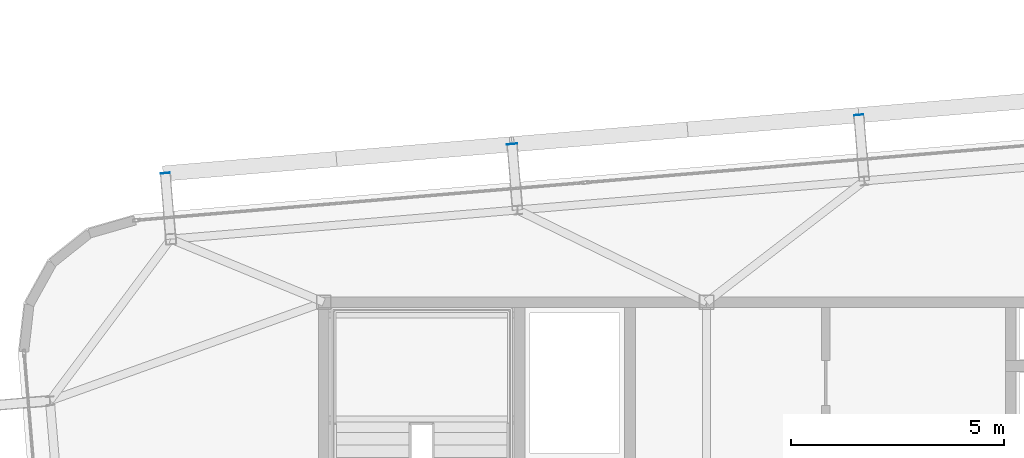
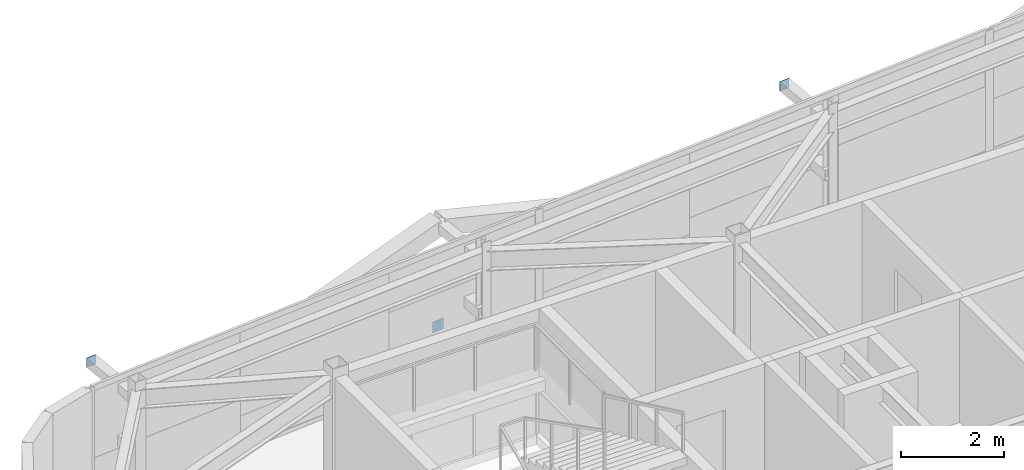
# One storey, part 32 of 39: 3 plates.
"""IFC4 building model written with IfcOpenShell, lengths in metres."""

from ifc_helpers import new_model, si_unit, direction, frame, origin, origin_2d, place, context, subcontext, project, spatial, rectangle, extrude, source, transform, mapped, material, layer, layer_set, type_object, element, save


model = new_model("IFC4")

# Units and contexts
model_context = context("Model", 3, precision=1e-05, world=origin(), true_north=direction((0.0, 1.0)))
body_context = subcontext(model_context, "Body", "Model", "MODEL_VIEW")
ifc_project = project(units=[si_unit("LENGTHUNIT", "METRE"), si_unit("AREAUNIT", "SQUARE_METRE"), si_unit("VOLUMEUNIT", "CUBIC_METRE"), si_unit("PLANEANGLEUNIT", "RADIAN"), si_unit("MASSUNIT", "GRAM", prefix="KILO")], contexts=[model_context])

# Site, building, storey
site_placement = place(None, origin())
site = spatial("IfcSite", under=ifc_project, at=site_placement, CompositionType="ELEMENT")
building_placement = place(site_placement, origin())
building = spatial("IfcBuilding", under=site, at=building_placement, Name="Taldren Reach Tower", CompositionType="ELEMENT")
storey_placement = place(building_placement, frame((0.0, 0.0, 197.75)))
storey = spatial("IfcBuildingStorey", under=building, at=storey_placement, Name="L60", CompositionType="ELEMENT", Elevation=197.75)

# Plates
ifc_material_1 = material(Name="Steel Gr 350 (C350L0)", Category="steel")
ifc_layer_1 = layer(ifc_material_1, 0.011962890625)
ifc_layer_set_1 = layer_set([ifc_layer_1], Name="Steel Gr 350 (C350L0)")
plate_type_1 = type_object("IfcPlateType", Name="PL-CAP-250", PredefinedType="SHEET", material=ifc_layer_set_1)
shared_shape_1 = source(origin(), body_context, "Body", "SweptSolid", [
    extrude(rectangle(XDim=0.25, YDim=0.011962890625, at=origin_2d()), origin(), (0.0, 0.0, 1.0), 0.25),
])
plate_placement = place(storey_placement, frame((23.4248046875, 35.718505859375, 0.094970703125), z_axis=(0.0, 0.0, 1.0), x_axis=(0.99649285925, 0.083677843332, 0.0)))
element("IfcPlate", 1, at=plate_placement, inside=storey, type_object=plate_type_1, Name="Tie strut end cap plate B4-N2 L60", PredefinedType="SHEET", context=body_context, shape_type="MappedRepresentation", body=[
    mapped(shared_shape_1, transform((0.0, 0.0, 0.0), scale=1.0)),
])
ifc_material_2 = material(Name="Steel Gr 450 (C450L0)", Category="steel")
ifc_layer_2 = layer(ifc_material_2, 0.011962890625)
ifc_layer_set_2 = layer_set([ifc_layer_2], Name="Steel Gr 450 (C450L0)")
plate_type_2 = type_object("IfcPlateType", Name="PL-CAP-220", PredefinedType="SHEET", material=ifc_layer_set_2)
shared_shape_2 = source(origin(), body_context, "Body", "SweptSolid", [
    extrude(rectangle(XDim=0.219970703125, YDim=0.011962890625, at=origin_2d()), origin(), (0.0, 0.0, 1.0), 0.219970703125),
])
for number, where, z_axis, x_axis, name in (
    (2, (15.273681640625, 35.0341796875, 2.5400390625), (0.0, 0.0, 1.0), (0.99649285925, 0.083677843332, 0.0), "Tie strut end cap plate B4-N1 L60"),
    (3, (31.576171875, 36.403076171875, 2.5400390625), (0.0, 0.0, 1.0), (0.99649285925, 0.083677843332, 0.0), "Tie strut end cap plate B4-N3 L60"),
):
    element("IfcPlate", number, at=place(storey_placement, frame(where, z_axis=z_axis, x_axis=x_axis)), inside=storey, type_object=plate_type_2, Name=name, PredefinedType="SHEET", context=body_context, shape_type="MappedRepresentation", body=[
        mapped(shared_shape_2, transform((0.0, 0.0, 0.0), scale=1.0)),
    ])

save(model, "model.ifc")
